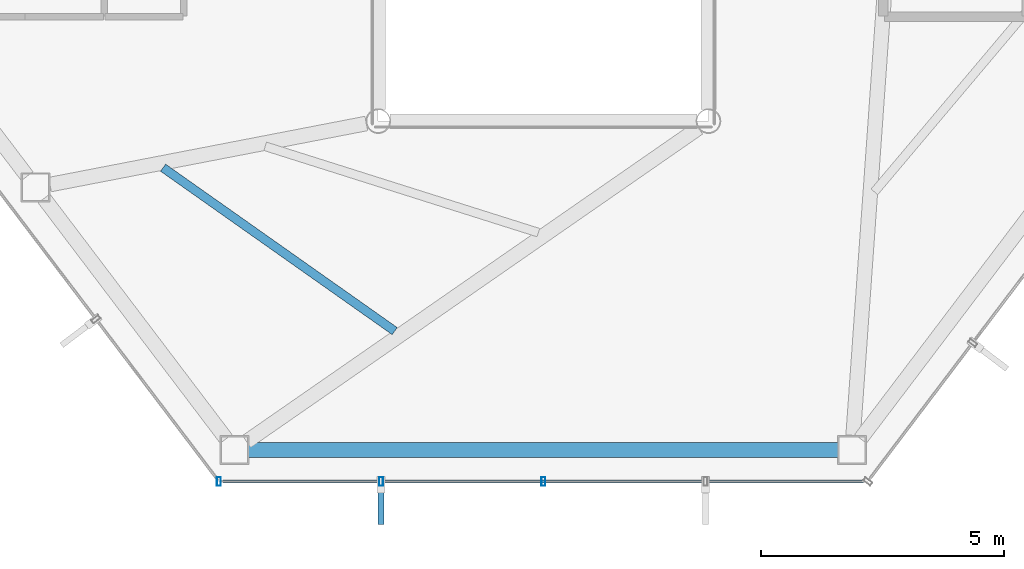
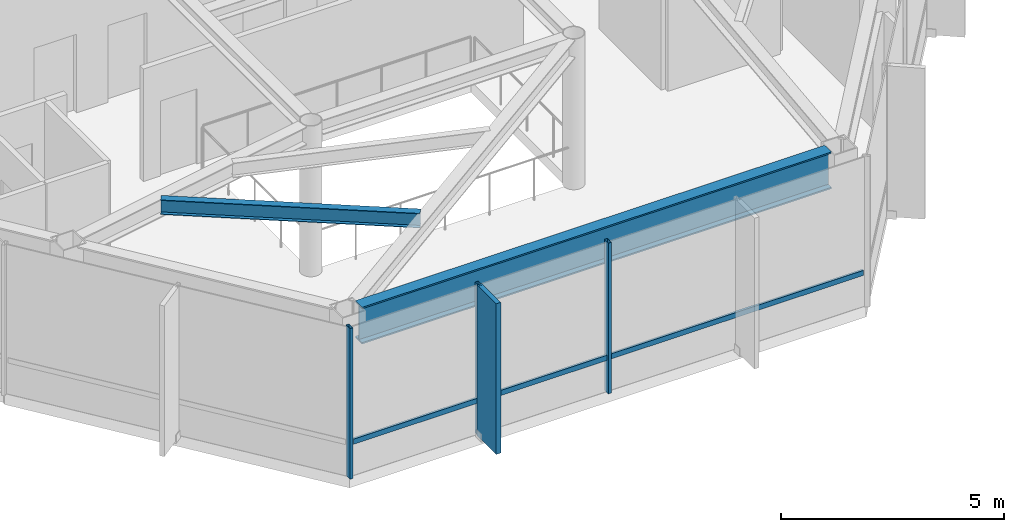
# One storey, part 4 of 23: 5 members, 2 beams, 1 element without a shape of its own.
"""IFC4 building model written with IfcOpenShell, lengths in metres."""

from ifc_helpers import new_model, si_unit, direction, frame, origin, origin_2d, place, context, subcontext, project, spatial, rectangle, hollow_rectangle, i_section, extrude, material, layer, layer_set, material_profile, profile_set, type_object, element, aggregate, save


model = new_model("IFC4")

# Units and contexts
model_context = context("Model", 3, precision=1e-05, world=origin(), true_north=direction((0.0, 1.0)))
body_context = subcontext(model_context, "Body", "Model", "MODEL_VIEW")
ifc_project = project(units=[si_unit("LENGTHUNIT", "METRE"), si_unit("AREAUNIT", "SQUARE_METRE"), si_unit("VOLUMEUNIT", "CUBIC_METRE"), si_unit("PLANEANGLEUNIT", "RADIAN"), si_unit("MASSUNIT", "GRAM", prefix="KILO")], contexts=[model_context])

# Site, building, storey
site_placement = place(None, origin())
site = spatial("IfcSite", under=ifc_project, at=site_placement, CompositionType="ELEMENT")
building_placement = place(site_placement, origin())
building = spatial("IfcBuilding", under=site, at=building_placement, Name="Zarrinselat Tower", CompositionType="ELEMENT")
storey_placement = place(building_placement, frame((0.0, 0.0, 199.919921875)))
storey = spatial("IfcBuildingStorey", under=building, at=storey_placement, Name="L49", CompositionType="ELEMENT", Elevation=199.919921875)

# Beams
ifc_material_1 = material(Name="Steel S460M", Category="steel")
ifc_material_profile_1 = material_profile(ifc_material_1, i_section(OverallWidth=0.302001953125, OverallDepth=1.008056640625, WebThickness=0.02099609375, FlangeThickness=0.0400390625, at=origin_2d()), Name="HEM 1000")
ifc_profile_set_1 = profile_set([ifc_material_profile_1], Name="Steel S460M")
beam_type_1 = type_object("IfcBeamType", Name="BM-HEM1000", PredefinedType="BEAM", material=ifc_profile_set_1)
beam_1_placement = place(storey_placement, frame((32.330322265625, 18.4306640625, 3.615966796875), z_axis=(1.0, 0.0, 0.0), x_axis=(0.0, 1.0, 0.0)))
element("IfcBeam", 1, at=beam_1_placement, inside=storey, type_object=beam_type_1, Name="L49 Perimeter Spandrel Girder SP10", PredefinedType="BEAM", context=body_context, shape_type="SweptSolid", body=[
    extrude(i_section(OverallWidth=0.302001953125, OverallDepth=1.008056640625, WebThickness=0.02099609375, FlangeThickness=0.0400390625, at=origin_2d()), origin(), (0.0, 0.0, 1.0), 12.13916015625),
])
ifc_material_2 = material(Name="Steel S355J2", Category="steel")
ifc_material_profile_2 = material_profile(ifc_material_2, i_section(OverallWidth=0.179931640625, OverallDepth=0.39990234375, WebThickness=0.008544921875, FlangeThickness=0.013427734375, at=origin_2d()), Name="IPE 400")
ifc_profile_set_2 = profile_set([ifc_material_profile_2], Name="Steel S355J2")
beam_type_2 = type_object("IfcBeamType", Name="BM-IPE400", PredefinedType="JOIST", material=ifc_profile_set_2)
beam_2_placement = place(storey_placement, frame((30.5712890625, 24.24169921875, 3.920166015625), z_axis=(0.817156819424, -0.576415416579, 0.0), x_axis=(0.576415416579, 0.817156819424, 0.0)))
element("IfcBeam", 2, at=beam_2_placement, inside=storey, type_object=beam_type_2, Name="L49 Composite Floor Joist 1-1", PredefinedType="JOIST", context=body_context, shape_type="SweptSolid", body=[
    extrude(i_section(OverallWidth=0.179931640625, OverallDepth=0.39990234375, WebThickness=0.008544921875, FlangeThickness=0.013427734375, at=origin_2d()), origin(), (0.0, 0.0, 1.0), 5.835205078125),
])

# Curtain wall, members
ifc_material_3 = material(Name="Extruded Aluminium Alloy EN AW-6063 T6", Category="aluminium")
ifc_layer = layer(ifc_material_3, 0.195068359375)
ifc_layer_set = layer_set([ifc_layer], Name="Extruded Aluminium Alloy EN AW-6063 T6")
curtain_wall_type = type_object("IfcCurtainWallType", Name="CWS-GDN", PredefinedType="NOTDEFINED", material=ifc_layer_set)
curtain_wall_placement = place(storey_placement, origin())
curtain_wall = element("IfcCurtainWall", 3, at=curtain_wall_placement, inside=storey, type_object=curtain_wall_type, Name="L49 Unitised Curtain Wall CW-L49-E05", PredefinedType="NOTDEFINED")
ifc_material_4 = material(Name="Extruded Aluminium Alloy EN AW-6063 T6", Category="aluminium")
ifc_material_profile_3 = material_profile(ifc_material_4, hollow_rectangle(XDim=0.080078125, YDim=0.179931640625, WallThickness=0.0048828125, at=origin_2d()), Name="RHS 180x80x5")
ifc_profile_set_3 = profile_set([ifc_material_profile_3], Name="Extruded Aluminium Alloy EN AW-6063 T6")
member_type_1 = type_object("IfcMemberType", Name="MEM-CW-MUL", PredefinedType="MULLION", material=ifc_profile_set_3)
member_1_placement = place(storey_placement, frame((38.39990234375, 17.78076171875, 0.0), z_axis=(0.0, 0.0, 1.0), x_axis=(-1.0, 0.0, 0.0)))
member_1 = element("IfcMember", 4, at=member_1_placement, type_object=member_type_1, Name="CW-L49-E05 Mullion 2", PredefinedType="MULLION", context=body_context, shape_type="SweptSolid", body=[
    extrude(hollow_rectangle(XDim=0.080078125, YDim=0.179931640625, WallThickness=0.0048828125, at=origin_2d()), origin(), (0.0, 0.0, 1.0), 4.1201171875),
])
member_2_placement = place(storey_placement, frame((35.059814453125, 17.78076171875, 0.0), z_axis=(0.0, 0.0, 1.0), x_axis=(-1.0, 0.0, 0.0)))
member_2 = element("IfcMember", 5, at=member_2_placement, type_object=member_type_1, Name="CW-L49-E05 Mullion 3", PredefinedType="MULLION", context=body_context, shape_type="SweptSolid", body=[
    extrude(hollow_rectangle(XDim=0.080078125, YDim=0.179931640625, WallThickness=0.0048828125, at=origin_2d()), origin(), (0.0, 0.0, 1.0), 4.1201171875),
])
member_3_placement = place(storey_placement, frame((31.719482421875, 17.78076171875, 0.0), z_axis=(0.0, 0.0, 1.0), x_axis=(-1.0, 0.0, 0.0)))
member_3 = element("IfcMember", 6, at=member_3_placement, type_object=member_type_1, Name="CW-L49-E05 Mullion 4", PredefinedType="MULLION", context=body_context, shape_type="SweptSolid", body=[
    extrude(hollow_rectangle(XDim=0.080078125, YDim=0.179931640625, WallThickness=0.0048828125, at=origin_2d()), origin(), (0.0, 0.0, 1.0), 4.1201171875),
])
ifc_material_5 = material(Name="Extruded Aluminium Alloy EN AW-6063 T6", Category="aluminium")
ifc_material_profile_4 = material_profile(ifc_material_5, hollow_rectangle(XDim=0.06005859375, YDim=0.139892578125, WallThickness=0.00390625, at=origin_2d()), Name="RHS 140x60x4")
ifc_profile_set_4 = profile_set([ifc_material_profile_4], Name="Extruded Aluminium Alloy EN AW-6063 T6")
member_type_2 = type_object("IfcMemberType", Name="MEM-CW-TRN", PredefinedType="USERDEFINED", material=ifc_profile_set_4)
member_4_placement = place(storey_placement, frame((44.990478515625, 17.78076171875, 0.9501953125), z_axis=(-1.0, 0.0, 0.0), x_axis=(0.0, -1.0, 0.0)))
member_4 = element("IfcMember", 7, at=member_4_placement, type_object=member_type_2, Name="CW-L49-E05 Transom 1", ObjectType="TRANSOM", PredefinedType="USERDEFINED", context=body_context, shape_type="SweptSolid", body=[
    extrude(hollow_rectangle(XDim=0.06005859375, YDim=0.139892578125, WallThickness=0.00390625, at=origin_2d()), origin(), (0.0, 0.0, 1.0), 13.18115234375),
])
ifc_material_6 = material(Name="Honed Cream Travertine Stone", Category="masonry")
ifc_material_profile_5 = material_profile(ifc_material_6, rectangle(XDim=0.1201171875, YDim=0.85009765625, at=origin_2d()), Name="FIN 850x120")
ifc_profile_set_5 = profile_set([ifc_material_profile_5], Name="Honed Cream Travertine Stone")
member_type_3 = type_object("IfcMemberType", Name="MEM-STONE-FIN", PredefinedType="USERDEFINED", material=ifc_profile_set_5)
member_5_placement = place(storey_placement, frame((35.059814453125, 17.32080078125, 0.0), z_axis=(0.0, 0.0, 1.0), x_axis=(-1.0, 0.0, 0.0)))
member_5 = element("IfcMember", 8, at=member_5_placement, type_object=member_type_3, Name="L49 Stone Shading Fin CW-L49-E05-03", ObjectType="FIN", PredefinedType="USERDEFINED", context=body_context, shape_type="SweptSolid", body=[
    extrude(rectangle(XDim=0.1201171875, YDim=0.85009765625, at=origin_2d()), origin(), (0.0, 0.0, 1.0), 4.1201171875),
])
aggregate(curtain_wall, [member_1, member_2, member_5, member_3, member_4])

save(model, "model.ifc")
